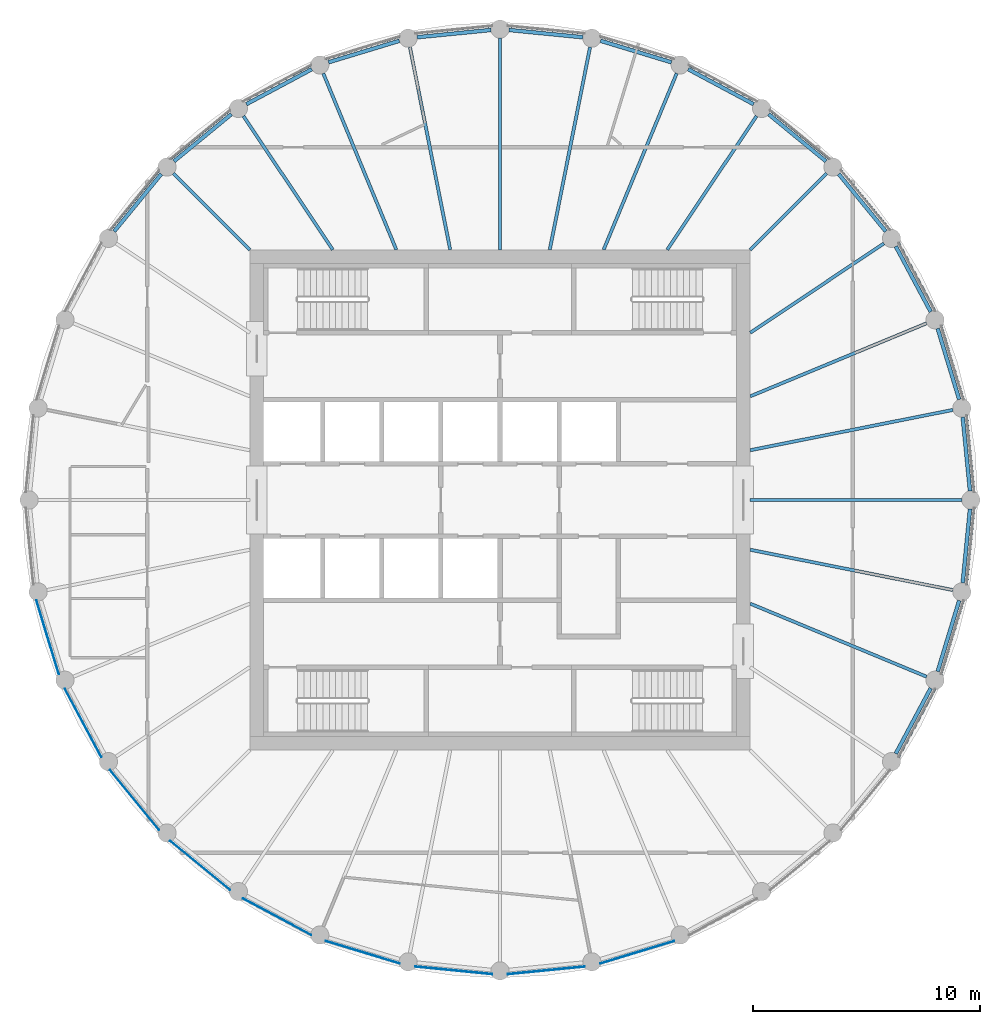
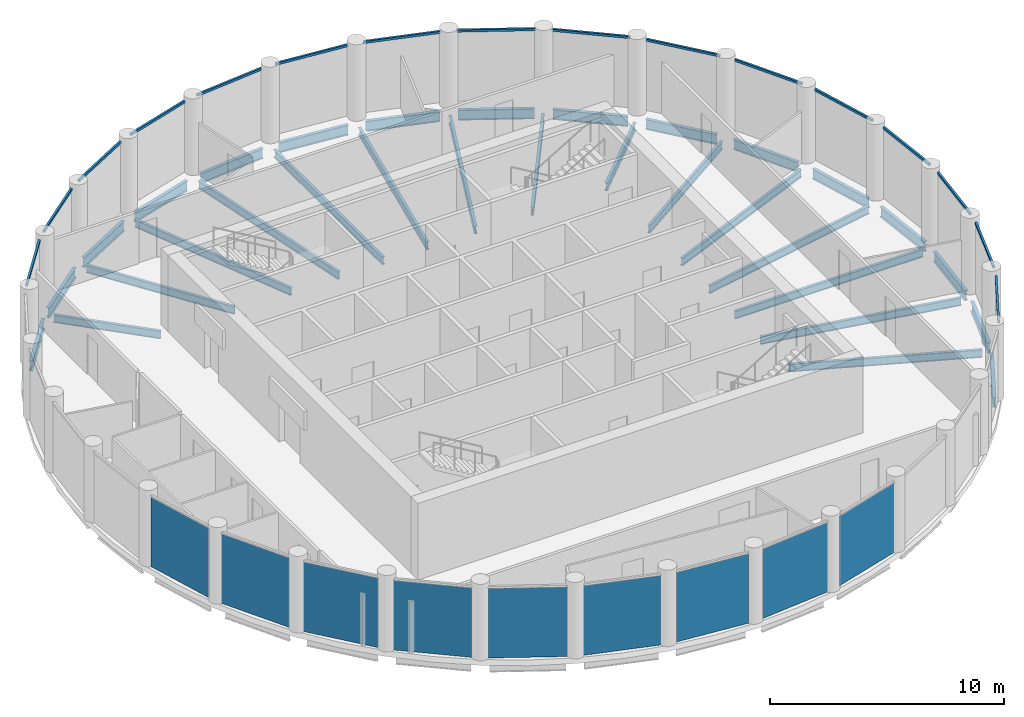
# One storey, part 2 of 7: 31 beams, 16 members, 9 plates, 25 elements without a shape of their own.
"""IFC4 building model written with IfcOpenShell, lengths in metres."""

import ifcopenshell
import ifcopenshell.guid

model = None  # the IFC model being written
_history = None  # IfcOwnerHistory: only IFC2X3 demands one
_inside = {}  # id of a spatial element -> (the spatial element, [elements in it])
_under = {}  # id of a project, library or spatial element -> (it, [spatial elements below it])
_declared = {}  # id of a project -> (the project, [libraries it declares])
_typed = {}  # id of a type object -> (the type object, [elements of that type])
_made_of = {}  # id of a material, layer set ... -> (it, [elements and type objects made of it])


def new_model(schema):
    """Start an empty IFC model of exactly this schema.

    Asked for "IFC4X3", IfcOpenShell would pick the latest addendum, in which some entities
    have other attributes; the version numbers below select the first issue.
    IFC2X3 requires an IfcOwnerHistory on every rooted entity: one is made here for all.
    """
    global model, _history
    if schema == "IFC4X3":
        model = ifcopenshell.file(schema_version=(4, 3, 0, 0))
    else:
        model = ifcopenshell.file(schema=schema)
    _inside.clear()
    _under.clear()
    _declared.clear()
    _typed.clear()
    _made_of.clear()
    _history = None
    if model.schema == "IFC2X3":
        org = make("IfcOrganization", Name="unknown")
        user = make(
            "IfcPersonAndOrganization",
            ThePerson=make("IfcPerson", FamilyName="unknown"),
            TheOrganization=org,
        )
        app = make(
            "IfcApplication",
            ApplicationDeveloper=org,
            Version="unknown",
            ApplicationFullName="unknown",
            ApplicationIdentifier="unknown",
        )
        _history = make(
            "IfcOwnerHistory",
            OwningUser=user,
            OwningApplication=app,
            ChangeAction="ADDED",
            CreationDate=0,
        )
    return model


def make(cls, **values):
    """One entity of the class cls with the attributes given. An attribute that is None is left unset."""
    return model.create_entity(
        cls, **{name: value for name, value in values.items() if value is not None}
    )


def rooted(cls, **values):
    """An entity with a GlobalId (a new one), such as an element, a storey or a relation."""
    return make(cls, GlobalId=ifcopenshell.guid.new(), OwnerHistory=_history, **values)


def si_unit(unit_type, name, prefix=None):
    """IfcSIUnit, for example si_unit("LENGTHUNIT", "METRE", prefix="MILLI")."""
    return make("IfcSIUnit", UnitType=unit_type, Prefix=prefix, Name=name)


def assignment(units):
    """IfcUnitAssignment: the units of a project."""
    return None if units is None else make("IfcUnitAssignment", Units=units)


def point(xyz):
    """IfcCartesianPoint."""
    return None if xyz is None else make("IfcCartesianPoint", Coordinates=xyz)


def direction(xyz):
    """IfcDirection."""
    return None if xyz is None else make("IfcDirection", DirectionRatios=xyz)


def frame(location, z_axis=None, x_axis=None):
    """IfcAxis2Placement3D, a coordinate frame: its origin and axes. An axis left out is left unset."""
    return make(
        "IfcAxis2Placement3D",
        Location=point(location),
        Axis=direction(z_axis),
        RefDirection=direction(x_axis),
    )


def frame_2d(location, x_axis=None):
    """IfcAxis2Placement2D, a coordinate frame in the plane: its origin and x axis."""
    return make(
        "IfcAxis2Placement2D", Location=point(location), RefDirection=direction(x_axis)
    )


def origin():
    """The frame at (0, 0, 0) with its axes left unset."""
    return frame((0.0, 0.0, 0.0))


def origin_2d():
    """The frame at (0, 0) in the plane with its x axis left unset."""
    return frame_2d((0.0, 0.0))


def place(relative_to, where):
    """IfcLocalPlacement: puts the frame where relative to a parent placement (None: the world)."""
    return make(
        "IfcLocalPlacement", PlacementRelTo=relative_to, RelativePlacement=where
    )


def context(
    kind, dimensions, precision=None, world=None, true_north=None, identifier=None
):
    """IfcGeometricRepresentationContext, for example the 3D "Model" context."""
    return make(
        "IfcGeometricRepresentationContext",
        ContextIdentifier=identifier,
        ContextType=kind,
        CoordinateSpaceDimension=dimensions,
        Precision=precision,
        WorldCoordinateSystem=world,
        TrueNorth=true_north,
    )


def subcontext(parent, identifier, kind, view, scale=None):
    """IfcGeometricRepresentationSubContext, for example "Body" below "Model"."""
    return make(
        "IfcGeometricRepresentationSubContext",
        ContextIdentifier=identifier,
        ContextType=kind,
        ParentContext=parent,
        TargetScale=scale,
        TargetView=view,
    )


def project(units=None, contexts=None):
    """IfcProject with its units and contexts."""
    return rooted(
        "IfcProject",
        Name="project",
        RepresentationContexts=contexts,
        UnitsInContext=assignment(units),
    )


def spatial(cls, under=None, at=None, **own):
    """A site, building, storey or space (cls), placed at a placement, below another one or the project."""
    s = rooted(cls, ObjectPlacement=at, **own)
    if under is not None:
        _under.setdefault(under.id(), (under, []))[1].append(s)
    return s


def profile(cls, at=None, kind="AREA", **sizes):
    """A parametric profile (cls). Its sizes go by their IFC names, for example OverallWidth=200.0."""
    return make(cls, ProfileType=kind, Position=at, **sizes)


def rectangle(**sizes):
    """IfcRectangleProfileDef."""
    return profile("IfcRectangleProfileDef", **sizes)


def i_section(**sizes):
    """IfcIShapeProfileDef."""
    return profile("IfcIShapeProfileDef", **sizes)


def extrude(swept, where, along, depth):
    """IfcExtrudedAreaSolid: the profile swept, set in the frame where, extruded along a direction by depth."""
    return make(
        "IfcExtrudedAreaSolid",
        SweptArea=swept,
        Position=where,
        ExtrudedDirection=direction(along),
        Depth=depth,
    )


def shape(context_of_items, identifier, shape_type, items):
    """IfcShapeRepresentation: the items that make up one representation, for example the "Body"."""
    return make(
        "IfcShapeRepresentation",
        ContextOfItems=context_of_items,
        RepresentationIdentifier=identifier,
        RepresentationType=shape_type,
        Items=items,
    )


def material(Name=None, Category=None):
    """IfcMaterial."""
    return make("IfcMaterial", Name=Name, Category=Category)


def layer(
    of_material, thickness, ventilated=None, Name=None, Category=None, Priority=None
):
    """IfcMaterialLayer: one layer of a wall or slab, of a material (None: an air gap)."""
    return make(
        "IfcMaterialLayer",
        Material=of_material,
        LayerThickness=thickness,
        IsVentilated=ventilated,
        Name=Name,
        Category=Category,
        Priority=Priority,
    )


def layer_set(layers, Name=None):
    """IfcMaterialLayerSet."""
    return make("IfcMaterialLayerSet", MaterialLayers=layers, LayerSetName=Name)


def material_profile(
    of_material, cross_section, Name=None, Category=None, Priority=None
):
    """IfcMaterialProfile: a cross section and its material."""
    return make(
        "IfcMaterialProfile",
        Name=Name,
        Material=of_material,
        Profile=cross_section,
        Priority=Priority,
        Category=Category,
    )


def profile_set(profiles, Name=None, composite=None):
    """IfcMaterialProfileSet."""
    return make(
        "IfcMaterialProfileSet",
        Name=Name,
        MaterialProfiles=profiles,
        CompositeProfile=composite,
    )


def made_of(thing, what):
    """Note that an element or type object is made of a material, layer set ...; save() writes the relation."""
    if what is not None:
        _made_of.setdefault(what.id(), (what, []))[1].append(thing)
    return thing


def type_object(cls, material=None, **own):
    """A type object (cls), such as IfcWallType, which elements share."""
    return made_of(rooted(cls, **own), material)


def element(
    cls,
    number,
    at=None,
    inside=None,
    cuts=None,
    type_object=None,
    material=None,
    context=None,
    identifier="Body",
    shape_type=None,
    held_by="IfcProductDefinitionShape",
    body=None,
    shapes=None,
    **own,
):
    """One element of the class cls, such as IfcWall. Its Tag is "e" and its number.

    at: its placement. inside: the storey or other place that contains it. cuts: it is an
    opening in that element (IfcRelVoidsElement). A single representation is given by context,
    identifier, shape_type and body (its items); several are given by shapes. held_by: the class
    of the entity that holds the representations. save() writes the other relations.
    """
    e = rooted(cls, Tag="e%d" % number, ObjectPlacement=at, **own)
    if body is not None:
        shapes = [shape(context, identifier, shape_type, body)]
    if shapes is not None:
        e.Representation = make(held_by, Representations=shapes)
    if inside is not None:
        _inside.setdefault(inside.id(), (inside, []))[1].append(e)
    if cuts is not None:
        rooted(
            "IfcRelVoidsElement", RelatingBuildingElement=cuts, RelatedOpeningElement=e
        )
    if type_object is not None:
        _typed.setdefault(type_object.id(), (type_object, []))[1].append(e)
    return made_of(e, material)


def aggregate(whole, parts):
    """IfcRelAggregates: a whole, such as a stair, and the parts it consists of."""
    return rooted("IfcRelAggregates", RelatingObject=whole, RelatedObjects=parts)


def save(model, path):
    """Write the relations noted so far, then the file.

    IfcRelAggregates (storeys below a building ...), IfcRelContainedInSpatialStructure (elements
    in a storey), IfcRelDefinesByType, IfcRelAssociatesMaterial and IfcRelDeclares: one each for
    every whole, place, type object, material and project.
    """
    for whole, parts in _under.values():
        aggregate(whole, parts)
    for where, things in _inside.values():
        rooted(
            "IfcRelContainedInSpatialStructure",
            RelatedElements=things,
            RelatingStructure=where,
        )
    for kind, things in _typed.values():
        rooted("IfcRelDefinesByType", RelatedObjects=things, RelatingType=kind)
    for what, things in _made_of.values():
        rooted("IfcRelAssociatesMaterial", RelatedObjects=things, RelatingMaterial=what)
    for by, libraries in _declared.values():
        rooted("IfcRelDeclares", RelatingContext=by, RelatedDefinitions=libraries)
    model.write(path)


model = new_model("IFC4")

# Units and contexts
model_context = context("Model", 3, precision=1e-05, world=origin(), true_north=direction((0.0, 1.0)))
body_context = subcontext(model_context, "Body", "Model", "MODEL_VIEW")
ifc_project = project(units=[si_unit("LENGTHUNIT", "METRE"), si_unit("AREAUNIT", "SQUARE_METRE"), si_unit("VOLUMEUNIT", "CUBIC_METRE"), si_unit("PLANEANGLEUNIT", "RADIAN"), si_unit("MASSUNIT", "GRAM", prefix="KILO")], contexts=[model_context])

# Site, building, storey
site_placement = place(None, origin())
site = spatial("IfcSite", under=ifc_project, at=site_placement, CompositionType="ELEMENT")
building_placement = place(site_placement, origin())
building = spatial("IfcBuilding", under=site, at=building_placement, Name="Corvane Civic Tower", CompositionType="ELEMENT")
storey_placement = place(building_placement, frame((0.0, 0.0, 328.5)))
storey = spatial("IfcBuildingStorey", under=building, at=storey_placement, Name="L78", CompositionType="ELEMENT", Elevation=328.5)

# Beams
ifc_material_1 = material(Name="Steel ASTM A992 Gr 50", Category="steel")
ifc_material_profile_1 = material_profile(ifc_material_1, i_section(OverallWidth=0.165771484375, OverallDepth=0.5283203125, WebThickness=0.009765625, FlangeThickness=0.013671875, at=origin_2d()), Name="W21X50")
ifc_profile_set_1 = profile_set([ifc_material_profile_1], Name="Steel ASTM A992 Gr 50")
beam_type_1 = type_object("IfcBeamType", Name="EDGE BEAM W21X50", PredefinedType="BEAM", material=ifc_profile_set_1)
beam_1_placement = place(storey_placement, frame((0.39794921875, 20.66064453125, -0.564208984375), z_axis=(0.995192503142, -0.097938152369, 0.0), x_axis=(0.097938152369, 0.995192503142, 0.0)))
element("IfcBeam", 1, at=beam_1_placement, inside=storey, type_object=beam_type_1, Name="BM-L78-E01", PredefinedType="BEAM", context=body_context, shape_type="SweptSolid", body=[
    extrude(i_section(OverallWidth=0.165771484375, OverallDepth=0.5283203125, WebThickness=0.009765625, FlangeThickness=0.013671875, at=origin_2d()), origin(), (0.0, 0.0, 1.0), 3.258056640625),
])
for number, where, z_axis, x_axis, name in (
    (2, (4.421142578125, 20.18603515625, -0.564208984375), (0.956955679349, -0.290234091317, 0.0), (0.290234091317, 0.956955679349, 0.0), "BM-L78-E02"),
    (3, (8.2744140625, 18.935791015625, -0.564208984375), (0.881894065907, -0.471447618, 0.0), (0.471447618, 0.881894065907, 0.0), "BM-L78-E03"),
    (4, (11.8095703125, 16.957763671875, -0.564208984375), (0.772984791903, -0.634424551454, 0.0), (0.634424551454, 0.772984791903, 0.0), "BM-L78-E04"),
    (5, (14.890869140625, 14.327880859375, -0.564208984375), (0.634424551454, -0.772984791903, 0.0), (0.772984791903, 0.634424551454, 0.0), "BM-L78-E05"),
    (6, (17.39990234375, 11.1474609375, -0.564208984375), (0.471447618, -0.881894065907, 0.0), (0.881894065907, 0.471447618, 0.0), "BM-L78-E06"),
    (7, (19.240478515625, 7.538818359375, -0.564208984375), (0.290234091317, -0.956955679349, 0.0), (0.956955679349, 0.290234091317, 0.0), "BM-L78-E07"),
):
    element("IfcBeam", number, at=place(storey_placement, frame(where, z_axis=z_axis, x_axis=x_axis)), inside=storey, type_object=beam_type_1, Name=name, PredefinedType="BEAM", context=body_context, shape_type="SweptSolid", body=[
        extrude(i_section(OverallWidth=0.165771484375, OverallDepth=0.5283203125, WebThickness=0.009765625, FlangeThickness=0.013671875, at=origin_2d()), origin(), (0.0, 0.0, 1.0), 3.2578125),
    ])
for number, where, z_axis, x_axis, name in (
    (8, (20.341552734375, 3.640380859375, -0.564208984375), (0.097938152369, -0.995192503142, 0.0), (0.995192503142, 0.097938152369, 0.0), "BM-L78-E08"),
    (9, (20.66064453125, -0.39794921875, -0.564208984375), (-0.097938152369, -0.995192503142, 0.0), (0.995192503142, -0.097938152369, 0.0), "BM-L78-E09"),
):
    element("IfcBeam", number, at=place(storey_placement, frame(where, z_axis=z_axis, x_axis=x_axis)), inside=storey, type_object=beam_type_1, Name=name, PredefinedType="BEAM", context=body_context, shape_type="SweptSolid", body=[
        extrude(i_section(OverallWidth=0.165771484375, OverallDepth=0.5283203125, WebThickness=0.009765625, FlangeThickness=0.013671875, at=origin_2d()), origin(), (0.0, 0.0, 1.0), 3.258056640625),
    ])
for number, where, z_axis, x_axis, name in (
    (10, (20.18603515625, -4.421142578125, -0.564208984375), (-0.290234091317, -0.956955679349, 0.0), (0.956955679349, -0.290234091317, 0.0), "BM-L78-E10"),
    (11, (18.935791015625, -8.2744140625, -0.564208984375), (-0.471447618, -0.881894065907, 0.0), (0.881894065907, -0.471447618, 0.0), "BM-L78-E11"),
    (12, (-16.957763671875, 11.8095703125, -0.564208984375), (0.634424551454, 0.772984791903, 0.0), (-0.772984791903, 0.634424551454, 0.0), "BM-L78-E28"),
    (13, (-14.327880859375, 14.890869140625, -0.564208984375), (0.772984791903, 0.634424551454, 0.0), (-0.634424551454, 0.772984791903, 0.0), "BM-L78-E29"),
    (14, (-11.1474609375, 17.39990234375, -0.564208984375), (0.881894065907, 0.471447618, 0.0), (-0.471447618, 0.881894065907, 0.0), "BM-L78-E30"),
    (15, (-7.538818359375, 19.240478515625, -0.564208984375), (0.956955679349, 0.290234091317, 0.0), (-0.290234091317, 0.956955679349, 0.0), "BM-L78-E31"),
):
    element("IfcBeam", number, at=place(storey_placement, frame(where, z_axis=z_axis, x_axis=x_axis)), inside=storey, type_object=beam_type_1, Name=name, PredefinedType="BEAM", context=body_context, shape_type="SweptSolid", body=[
        extrude(i_section(OverallWidth=0.165771484375, OverallDepth=0.5283203125, WebThickness=0.009765625, FlangeThickness=0.013671875, at=origin_2d()), origin(), (0.0, 0.0, 1.0), 3.2578125),
    ])
beam_2_placement = place(storey_placement, frame((-3.640380859375, 20.341552734375, -0.564208984375), z_axis=(0.995192503142, 0.097938152369, 0.0), x_axis=(-0.097938152369, 0.995192503142, 0.0)))
element("IfcBeam", 16, at=beam_2_placement, inside=storey, type_object=beam_type_1, Name="BM-L78-E32", PredefinedType="BEAM", context=body_context, shape_type="SweptSolid", body=[
    extrude(i_section(OverallWidth=0.165771484375, OverallDepth=0.5283203125, WebThickness=0.009765625, FlangeThickness=0.013671875, at=origin_2d()), origin(), (0.0, 0.0, 1.0), 3.258056640625),
])
ifc_material_2 = material(Name="Steel ASTM A992 Gr 50", Category="steel")
ifc_material_profile_2 = material_profile(ifc_material_2, i_section(OverallWidth=0.140380859375, OverallDepth=0.40380859375, WebThickness=0.007080078125, FlangeThickness=0.01123046875, at=origin_2d()), Name="W16X31")
ifc_profile_set_2 = profile_set([ifc_material_profile_2], Name="Steel ASTM A992 Gr 50")
beam_type_2 = type_object("IfcBeamType", Name="FLOOR GIRDER W16X31", PredefinedType="BEAM", material=ifc_profile_set_2)
beam_3_placement = place(storey_placement, frame((0.0, 11.0, -0.501953125), z_axis=(0.0, 1.0, 0.0), x_axis=(-1.0, 0.0, 0.0)))
element("IfcBeam", 17, at=beam_3_placement, inside=storey, type_object=beam_type_2, Name="BM-L78-G01", PredefinedType="BEAM", context=body_context, shape_type="SweptSolid", body=[
    extrude(i_section(OverallWidth=0.140380859375, OverallDepth=0.40380859375, WebThickness=0.007080078125, FlangeThickness=0.01123046875, at=origin_2d()), origin(), (0.0, 0.0, 1.0), 9.300048828125),
])
beam_4_placement = place(storey_placement, frame((2.18798828125, 11.0, -0.501953125), z_axis=(0.195108241061, 0.980781715913, 0.0), x_axis=(-0.980781715913, 0.195108241061, 0.0)))
element("IfcBeam", 18, at=beam_4_placement, inside=storey, type_object=beam_type_2, Name="BM-L78-G02", PredefinedType="BEAM", context=body_context, shape_type="SweptSolid", body=[
    extrude(i_section(OverallWidth=0.140380859375, OverallDepth=0.40380859375, WebThickness=0.007080078125, FlangeThickness=0.01123046875, at=origin_2d()), origin(), (0.0, 0.0, 1.0), 9.08447265625),
])
beam_5_placement = place(storey_placement, frame((4.556396484375, 11.0, -0.501953125), z_axis=(0.382691739894, 0.923876091377, 0.0), x_axis=(-0.923876091377, 0.382691739894, 0.0)))
element("IfcBeam", 19, at=beam_5_placement, inside=storey, type_object=beam_type_2, Name="BM-L78-G03", PredefinedType="BEAM", context=body_context, shape_type="SweptSolid", body=[
    extrude(i_section(OverallWidth=0.140380859375, OverallDepth=0.40380859375, WebThickness=0.007080078125, FlangeThickness=0.01123046875, at=origin_2d()), origin(), (0.0, 0.0, 1.0), 8.3935546875),
])
beam_6_placement = place(storey_placement, frame((7.349853515625, 11.0, -0.501953125), z_axis=(0.555576401385, 0.831465490699, 0.0), x_axis=(-0.831465490699, 0.555576401385, 0.0)))
element("IfcBeam", 20, at=beam_6_placement, inside=storey, type_object=beam_type_2, Name="BM-L78-G04", PredefinedType="BEAM", context=body_context, shape_type="SweptSolid", body=[
    extrude(i_section(OverallWidth=0.140380859375, OverallDepth=0.40380859375, WebThickness=0.007080078125, FlangeThickness=0.01123046875, at=origin_2d()), origin(), (0.0, 0.0, 1.0), 7.070556640625),
])
beam_7_placement = place(storey_placement, frame((11.0, 11.0, -0.501953125), z_axis=(0.707106781187, 0.707106781187, 0.0), x_axis=(-0.707106781187, 0.707106781187, 0.0)))
element("IfcBeam", 21, at=beam_7_placement, inside=storey, type_object=beam_type_2, Name="BM-L78-G05", PredefinedType="BEAM", context=body_context, shape_type="SweptSolid", body=[
    extrude(i_section(OverallWidth=0.140380859375, OverallDepth=0.40380859375, WebThickness=0.007080078125, FlangeThickness=0.01123046875, at=origin_2d()), origin(), (0.0, 0.0, 1.0), 4.74365234375),
])
beam_8_placement = place(storey_placement, frame((11.0, 7.349853515625, -0.501953125), z_axis=(0.831465490699, 0.555576401385, 0.0), x_axis=(-0.555576401385, 0.831465490699, 0.0)))
element("IfcBeam", 22, at=beam_8_placement, inside=storey, type_object=beam_type_2, Name="BM-L78-G06", PredefinedType="BEAM", context=body_context, shape_type="SweptSolid", body=[
    extrude(i_section(OverallWidth=0.140380859375, OverallDepth=0.40380859375, WebThickness=0.007080078125, FlangeThickness=0.01123046875, at=origin_2d()), origin(), (0.0, 0.0, 1.0), 7.070556640625),
])
beam_9_placement = place(storey_placement, frame((11.0, 4.556396484375, -0.501953125), z_axis=(0.923876091377, 0.382691739894, 0.0), x_axis=(-0.382691739894, 0.923876091377, 0.0)))
element("IfcBeam", 23, at=beam_9_placement, inside=storey, type_object=beam_type_2, Name="BM-L78-G07", PredefinedType="BEAM", context=body_context, shape_type="SweptSolid", body=[
    extrude(i_section(OverallWidth=0.140380859375, OverallDepth=0.40380859375, WebThickness=0.007080078125, FlangeThickness=0.01123046875, at=origin_2d()), origin(), (0.0, 0.0, 1.0), 8.3935546875),
])
beam_10_placement = place(storey_placement, frame((11.0, 2.18798828125, -0.501953125), z_axis=(0.980781715913, 0.195108241061, 0.0), x_axis=(-0.195108241061, 0.980781715913, 0.0)))
element("IfcBeam", 24, at=beam_10_placement, inside=storey, type_object=beam_type_2, Name="BM-L78-G08", PredefinedType="BEAM", context=body_context, shape_type="SweptSolid", body=[
    extrude(i_section(OverallWidth=0.140380859375, OverallDepth=0.40380859375, WebThickness=0.007080078125, FlangeThickness=0.01123046875, at=origin_2d()), origin(), (0.0, 0.0, 1.0), 9.08447265625),
])
beam_11_placement = place(storey_placement, frame((11.0, 0.0, -0.501953125), z_axis=(1.0, 0.0, 0.0), x_axis=(0.0, 1.0, 0.0)))
element("IfcBeam", 25, at=beam_11_placement, inside=storey, type_object=beam_type_2, Name="BM-L78-G09", PredefinedType="BEAM", context=body_context, shape_type="SweptSolid", body=[
    extrude(i_section(OverallWidth=0.140380859375, OverallDepth=0.40380859375, WebThickness=0.007080078125, FlangeThickness=0.01123046875, at=origin_2d()), origin(), (0.0, 0.0, 1.0), 9.300048828125),
])
beam_12_placement = place(storey_placement, frame((11.0, -2.18798828125, -0.501953125), z_axis=(0.980781715913, -0.195108241061, 0.0), x_axis=(0.195108241061, 0.980781715913, 0.0)))
element("IfcBeam", 26, at=beam_12_placement, inside=storey, type_object=beam_type_2, Name="BM-L78-G10", PredefinedType="BEAM", context=body_context, shape_type="SweptSolid", body=[
    extrude(i_section(OverallWidth=0.140380859375, OverallDepth=0.40380859375, WebThickness=0.007080078125, FlangeThickness=0.01123046875, at=origin_2d()), origin(), (0.0, 0.0, 1.0), 9.08447265625),
])
beam_13_placement = place(storey_placement, frame((11.0, -4.556396484375, -0.501953125), z_axis=(0.923876091377, -0.382691739894, 0.0), x_axis=(0.382691739894, 0.923876091377, 0.0)))
element("IfcBeam", 27, at=beam_13_placement, inside=storey, type_object=beam_type_2, Name="BM-L78-G11", PredefinedType="BEAM", context=body_context, shape_type="SweptSolid", body=[
    extrude(i_section(OverallWidth=0.140380859375, OverallDepth=0.40380859375, WebThickness=0.007080078125, FlangeThickness=0.01123046875, at=origin_2d()), origin(), (0.0, 0.0, 1.0), 8.3935546875),
])
beam_14_placement = place(storey_placement, frame((-11.0, 11.0, -0.501953125), z_axis=(-0.707106781187, 0.707106781187, 0.0), x_axis=(-0.707106781187, -0.707106781187, 0.0)))
element("IfcBeam", 28, at=beam_14_placement, inside=storey, type_object=beam_type_2, Name="BM-L78-G29", PredefinedType="BEAM", context=body_context, shape_type="SweptSolid", body=[
    extrude(i_section(OverallWidth=0.140380859375, OverallDepth=0.40380859375, WebThickness=0.007080078125, FlangeThickness=0.01123046875, at=origin_2d()), origin(), (0.0, 0.0, 1.0), 4.74365234375),
])
beam_15_placement = place(storey_placement, frame((-7.349853515625, 11.0, -0.501953125), z_axis=(-0.555576401385, 0.831465490699, 0.0), x_axis=(-0.831465490699, -0.555576401385, 0.0)))
element("IfcBeam", 29, at=beam_15_placement, inside=storey, type_object=beam_type_2, Name="BM-L78-G30", PredefinedType="BEAM", context=body_context, shape_type="SweptSolid", body=[
    extrude(i_section(OverallWidth=0.140380859375, OverallDepth=0.40380859375, WebThickness=0.007080078125, FlangeThickness=0.01123046875, at=origin_2d()), origin(), (0.0, 0.0, 1.0), 7.070556640625),
])
beam_16_placement = place(storey_placement, frame((-4.556396484375, 11.0, -0.501953125), z_axis=(-0.382691739894, 0.923876091377, 0.0), x_axis=(-0.923876091377, -0.382691739894, 0.0)))
element("IfcBeam", 30, at=beam_16_placement, inside=storey, type_object=beam_type_2, Name="BM-L78-G31", PredefinedType="BEAM", context=body_context, shape_type="SweptSolid", body=[
    extrude(i_section(OverallWidth=0.140380859375, OverallDepth=0.40380859375, WebThickness=0.007080078125, FlangeThickness=0.01123046875, at=origin_2d()), origin(), (0.0, 0.0, 1.0), 8.3935546875),
])
beam_17_placement = place(storey_placement, frame((-2.18798828125, 11.0, -0.501953125), z_axis=(-0.195108241061, 0.980781715913, 0.0), x_axis=(-0.980781715913, -0.195108241061, 0.0)))
element("IfcBeam", 31, at=beam_17_placement, inside=storey, type_object=beam_type_2, Name="BM-L78-G32", PredefinedType="BEAM", context=body_context, shape_type="SweptSolid", body=[
    extrude(i_section(OverallWidth=0.140380859375, OverallDepth=0.40380859375, WebThickness=0.007080078125, FlangeThickness=0.01123046875, at=origin_2d()), origin(), (0.0, 0.0, 1.0), 9.08447265625),
])

# Curtain wall, member
ifc_material_3 = material(Name="Anodised aluminium bronze", Category="aluminium")
curtain_wall_type = type_object("IfcCurtainWallType", Name="TOWER CW-T3 STICK CURTAIN WALL", PredefinedType="NOTDEFINED", material=ifc_material_3)
curtain_wall_1_placement = place(storey_placement, origin())
curtain_wall_1 = element("IfcCurtainWall", 32, at=curtain_wall_1_placement, inside=storey, type_object=curtain_wall_type, Name="Curtain wall CW-T3 L78 bay 01", PredefinedType="NOTDEFINED")
ifc_material_4 = material(Name="Anodised aluminium bronze", Category="aluminium")
ifc_material_profile_3 = material_profile(ifc_material_4, rectangle(XDim=0.10009765625, YDim=0.1201171875, at=origin_2d()), Name="TOWER CW-T3 TRANSOM 100x120")
ifc_profile_set_3 = profile_set([ifc_material_profile_3], Name="Anodised aluminium bronze")
member_type = type_object("IfcMemberType", Name="TOWER CW-T3 TRANSOM 100x120", PredefinedType="USERDEFINED", material=ifc_profile_set_3)
member_1_placement = place(storey_placement, frame((0.34375, 20.845947265625, 3.68994140625), z_axis=(0.995191564676, -0.097947688066, 0.0), x_axis=(0.097947688066, 0.995191564676, 0.0)))
member_1 = element("IfcMember", 33, at=member_1_placement, type_object=member_type, Name="Transom CW-T3 L78 01.1", ObjectType="TRANSOM", PredefinedType="USERDEFINED", context=body_context, shape_type="SweptSolid", body=[
    extrude(rectangle(XDim=0.10009765625, YDim=0.1201171875, at=origin_2d()), origin(), (0.0, 0.0, 1.0), 3.40234375),
])
aggregate(curtain_wall_1, [member_1])

curtain_wall_2_placement = place(storey_placement, origin())
curtain_wall_2 = element("IfcCurtainWall", 34, at=curtain_wall_2_placement, inside=storey, type_object=curtain_wall_type, Name="Curtain wall CW-T3 L78 bay 02", PredefinedType="NOTDEFINED")
member_2_placement = place(storey_placement, frame((4.40380859375, 20.37841796875, 3.68994140625), z_axis=(0.956961022204, -0.290216474345, 0.0), x_axis=(0.290216474345, 0.956961022204, 0.0)))
member_2 = element("IfcMember", 35, at=member_2_placement, type_object=member_type, Name="Transom CW-T3 L78 02.1", ObjectType="TRANSOM", PredefinedType="USERDEFINED", context=body_context, shape_type="SweptSolid", body=[
    extrude(rectangle(XDim=0.10009765625, YDim=0.1201171875, at=origin_2d()), origin(), (0.0, 0.0, 1.0), 3.40283203125),
])
aggregate(curtain_wall_2, [member_2])

curtain_wall_3_placement = place(storey_placement, origin())
curtain_wall_3 = element("IfcCurtainWall", 36, at=curtain_wall_3_placement, inside=storey, type_object=curtain_wall_type, Name="Curtain wall CW-T3 L78 bay 03", PredefinedType="NOTDEFINED")
member_3_placement = place(storey_placement, frame((8.294921875, 19.127685546875, 3.68994140625), z_axis=(0.881941440444, -0.471358988063, 0.0), x_axis=(0.471358988063, 0.881941440444, 0.0)))
member_3 = element("IfcMember", 37, at=member_3_placement, type_object=member_type, Name="Transom CW-T3 L78 03.1", ObjectType="TRANSOM", PredefinedType="USERDEFINED", context=body_context, shape_type="SweptSolid", body=[
    extrude(rectangle(XDim=0.10009765625, YDim=0.1201171875, at=origin_2d()), origin(), (0.0, 0.0, 1.0), 3.40234375),
])
aggregate(curtain_wall_3, [member_3])

curtain_wall_4_placement = place(storey_placement, origin())
curtain_wall_4 = element("IfcCurtainWall", 38, at=curtain_wall_4_placement, inside=storey, type_object=curtain_wall_type, Name="Curtain wall CW-T3 L78 bay 04", PredefinedType="NOTDEFINED")
member_4_placement = place(storey_placement, frame((11.8671875, 17.14208984375, 3.68994140625), z_axis=(0.773010217358, -0.634393571736, 0.0), x_axis=(0.634393571736, 0.773010217358, 0.0)))
member_4 = element("IfcMember", 39, at=member_4_placement, type_object=member_type, Name="Transom CW-T3 L78 04.1", ObjectType="TRANSOM", PredefinedType="USERDEFINED", context=body_context, shape_type="SweptSolid", body=[
    extrude(rectangle(XDim=0.10009765625, YDim=0.1201171875, at=origin_2d()), origin(), (0.0, 0.0, 1.0), 3.40283203125),
])
aggregate(curtain_wall_4, [member_4])

curtain_wall_5_placement = place(storey_placement, origin())
curtain_wall_5 = element("IfcCurtainWall", 40, at=curtain_wall_5_placement, inside=storey, type_object=curtain_wall_type, Name="Curtain wall CW-T3 L78 bay 05", PredefinedType="NOTDEFINED")
member_5_placement = place(storey_placement, frame((14.9833984375, 14.49755859375, 3.68994140625), z_axis=(0.634393571736, -0.773010217358, 0.0), x_axis=(0.773010217358, 0.634393571736, 0.0)))
member_5 = element("IfcMember", 41, at=member_5_placement, type_object=member_type, Name="Transom CW-T3 L78 05.1", ObjectType="TRANSOM", PredefinedType="USERDEFINED", context=body_context, shape_type="SweptSolid", body=[
    extrude(rectangle(XDim=0.10009765625, YDim=0.1201171875, at=origin_2d()), origin(), (0.0, 0.0, 1.0), 3.40283203125),
])
aggregate(curtain_wall_5, [member_5])

curtain_wall_6_placement = place(storey_placement, origin())
curtain_wall_6 = element("IfcCurtainWall", 42, at=curtain_wall_6_placement, inside=storey, type_object=curtain_wall_type, Name="Curtain wall CW-T3 L78 bay 06", PredefinedType="NOTDEFINED")
member_6_placement = place(storey_placement, frame((17.52392578125, 11.295654296875, 3.68994140625), z_axis=(0.471358988063, -0.881941440444, 0.0), x_axis=(0.881941440444, 0.471358988063, 0.0)))
member_6 = element("IfcMember", 43, at=member_6_placement, type_object=member_type, Name="Transom CW-T3 L78 06.1", ObjectType="TRANSOM", PredefinedType="USERDEFINED", context=body_context, shape_type="SweptSolid", body=[
    extrude(rectangle(XDim=0.10009765625, YDim=0.1201171875, at=origin_2d()), origin(), (0.0, 0.0, 1.0), 3.40234375),
])
aggregate(curtain_wall_6, [member_6])

curtain_wall_7_placement = place(storey_placement, origin())
curtain_wall_7 = element("IfcCurtainWall", 44, at=curtain_wall_7_placement, inside=storey, type_object=curtain_wall_type, Name="Curtain wall CW-T3 L78 bay 07", PredefinedType="NOTDEFINED")
member_7_placement = place(storey_placement, frame((19.390869140625, 7.66015625, 3.68994140625), z_axis=(0.290216474345, -0.956961022204, 0.0), x_axis=(0.956961022204, 0.290216474345, 0.0)))
member_7 = element("IfcMember", 45, at=member_7_placement, type_object=member_type, Name="Transom CW-T3 L78 07.1", ObjectType="TRANSOM", PredefinedType="USERDEFINED", context=body_context, shape_type="SweptSolid", body=[
    extrude(rectangle(XDim=0.10009765625, YDim=0.1201171875, at=origin_2d()), origin(), (0.0, 0.0, 1.0), 3.40283203125),
])
aggregate(curtain_wall_7, [member_7])

curtain_wall_8_placement = place(storey_placement, origin())
curtain_wall_8 = element("IfcCurtainWall", 46, at=curtain_wall_8_placement, inside=storey, type_object=curtain_wall_type, Name="Curtain wall CW-T3 L78 bay 08", PredefinedType="NOTDEFINED")
member_8_placement = place(storey_placement, frame((20.5126953125, 3.729736328125, 3.68994140625), z_axis=(0.097947688066, -0.995191564676, 0.0), x_axis=(0.995191564676, 0.097947688066, 0.0)))
member_8 = element("IfcMember", 47, at=member_8_placement, type_object=member_type, Name="Transom CW-T3 L78 08.1", ObjectType="TRANSOM", PredefinedType="USERDEFINED", context=body_context, shape_type="SweptSolid", body=[
    extrude(rectangle(XDim=0.10009765625, YDim=0.1201171875, at=origin_2d()), origin(), (0.0, 0.0, 1.0), 3.40234375),
])
aggregate(curtain_wall_8, [member_8])

curtain_wall_9_placement = place(storey_placement, origin())
curtain_wall_9 = element("IfcCurtainWall", 48, at=curtain_wall_9_placement, inside=storey, type_object=curtain_wall_type, Name="Curtain wall CW-T3 L78 bay 09", PredefinedType="NOTDEFINED")
member_9_placement = place(storey_placement, frame((20.845947265625, -0.34375, 3.68994140625), z_axis=(-0.097947688066, -0.995191564676, 0.0), x_axis=(0.995191564676, -0.097947688066, 0.0)))
member_9 = element("IfcMember", 49, at=member_9_placement, type_object=member_type, Name="Transom CW-T3 L78 09.1", ObjectType="TRANSOM", PredefinedType="USERDEFINED", context=body_context, shape_type="SweptSolid", body=[
    extrude(rectangle(XDim=0.10009765625, YDim=0.1201171875, at=origin_2d()), origin(), (0.0, 0.0, 1.0), 3.40234375),
])
aggregate(curtain_wall_9, [member_9])

curtain_wall_10_placement = place(storey_placement, origin())
curtain_wall_10 = element("IfcCurtainWall", 50, at=curtain_wall_10_placement, inside=storey, type_object=curtain_wall_type, Name="Curtain wall CW-T3 L78 bay 10", PredefinedType="NOTDEFINED")
member_10_placement = place(storey_placement, frame((20.37841796875, -4.40380859375, 3.68994140625), z_axis=(-0.290216474345, -0.956961022204, 0.0), x_axis=(0.956961022204, -0.290216474345, 0.0)))
member_10 = element("IfcMember", 51, at=member_10_placement, type_object=member_type, Name="Transom CW-T3 L78 10.1", ObjectType="TRANSOM", PredefinedType="USERDEFINED", context=body_context, shape_type="SweptSolid", body=[
    extrude(rectangle(XDim=0.10009765625, YDim=0.1201171875, at=origin_2d()), origin(), (0.0, 0.0, 1.0), 3.40283203125),
])
aggregate(curtain_wall_10, [member_10])

curtain_wall_11_placement = place(storey_placement, origin())
curtain_wall_11 = element("IfcCurtainWall", 52, at=curtain_wall_11_placement, inside=storey, type_object=curtain_wall_type, Name="Curtain wall CW-T3 L78 bay 11", PredefinedType="NOTDEFINED")
member_11_placement = place(storey_placement, frame((19.127685546875, -8.294921875, 3.68994140625), z_axis=(-0.471358988063, -0.881941440444, 0.0), x_axis=(0.881941440444, -0.471358988063, 0.0)))
member_11 = element("IfcMember", 53, at=member_11_placement, type_object=member_type, Name="Transom CW-T3 L78 11.1", ObjectType="TRANSOM", PredefinedType="USERDEFINED", context=body_context, shape_type="SweptSolid", body=[
    extrude(rectangle(XDim=0.10009765625, YDim=0.1201171875, at=origin_2d()), origin(), (0.0, 0.0, 1.0), 3.40234375),
])
aggregate(curtain_wall_11, [member_11])

curtain_wall_12_placement = place(storey_placement, origin())
curtain_wall_12 = element("IfcCurtainWall", 54, at=curtain_wall_12_placement, inside=storey, type_object=curtain_wall_type, Name="Curtain wall CW-T3 L78 bay 28", PredefinedType="NOTDEFINED")
member_12_placement = place(storey_placement, frame((-17.14208984375, 11.8671875, 3.68994140625), z_axis=(0.634393571736, 0.773010217358, 0.0), x_axis=(-0.773010217358, 0.634393571736, 0.0)))
member_12 = element("IfcMember", 55, at=member_12_placement, type_object=member_type, Name="Transom CW-T3 L78 28.1", ObjectType="TRANSOM", PredefinedType="USERDEFINED", context=body_context, shape_type="SweptSolid", body=[
    extrude(rectangle(XDim=0.10009765625, YDim=0.1201171875, at=origin_2d()), origin(), (0.0, 0.0, 1.0), 3.40283203125),
])
aggregate(curtain_wall_12, [member_12])

curtain_wall_13_placement = place(storey_placement, origin())
curtain_wall_13 = element("IfcCurtainWall", 56, at=curtain_wall_13_placement, inside=storey, type_object=curtain_wall_type, Name="Curtain wall CW-T3 L78 bay 29", PredefinedType="NOTDEFINED")
member_13_placement = place(storey_placement, frame((-14.49755859375, 14.9833984375, 3.68994140625), z_axis=(0.773010217358, 0.634393571736, 0.0), x_axis=(-0.634393571736, 0.773010217358, 0.0)))
member_13 = element("IfcMember", 57, at=member_13_placement, type_object=member_type, Name="Transom CW-T3 L78 29.1", ObjectType="TRANSOM", PredefinedType="USERDEFINED", context=body_context, shape_type="SweptSolid", body=[
    extrude(rectangle(XDim=0.10009765625, YDim=0.1201171875, at=origin_2d()), origin(), (0.0, 0.0, 1.0), 3.40283203125),
])
aggregate(curtain_wall_13, [member_13])

curtain_wall_14_placement = place(storey_placement, origin())
curtain_wall_14 = element("IfcCurtainWall", 58, at=curtain_wall_14_placement, inside=storey, type_object=curtain_wall_type, Name="Curtain wall CW-T3 L78 bay 30", PredefinedType="NOTDEFINED")
member_14_placement = place(storey_placement, frame((-11.295654296875, 17.52392578125, 3.68994140625), z_axis=(0.881941440444, 0.471358988063, 0.0), x_axis=(-0.471358988063, 0.881941440444, 0.0)))
member_14 = element("IfcMember", 59, at=member_14_placement, type_object=member_type, Name="Transom CW-T3 L78 30.1", ObjectType="TRANSOM", PredefinedType="USERDEFINED", context=body_context, shape_type="SweptSolid", body=[
    extrude(rectangle(XDim=0.10009765625, YDim=0.1201171875, at=origin_2d()), origin(), (0.0, 0.0, 1.0), 3.40234375),
])
aggregate(curtain_wall_14, [member_14])

curtain_wall_15_placement = place(storey_placement, origin())
curtain_wall_15 = element("IfcCurtainWall", 60, at=curtain_wall_15_placement, inside=storey, type_object=curtain_wall_type, Name="Curtain wall CW-T3 L78 bay 31", PredefinedType="NOTDEFINED")
member_15_placement = place(storey_placement, frame((-7.66015625, 19.390869140625, 3.68994140625), z_axis=(0.956961022204, 0.290216474345, 0.0), x_axis=(-0.290216474345, 0.956961022204, 0.0)))
member_15 = element("IfcMember", 61, at=member_15_placement, type_object=member_type, Name="Transom CW-T3 L78 31.1", ObjectType="TRANSOM", PredefinedType="USERDEFINED", context=body_context, shape_type="SweptSolid", body=[
    extrude(rectangle(XDim=0.10009765625, YDim=0.1201171875, at=origin_2d()), origin(), (0.0, 0.0, 1.0), 3.40283203125),
])
aggregate(curtain_wall_15, [member_15])

curtain_wall_16_placement = place(storey_placement, origin())
curtain_wall_16 = element("IfcCurtainWall", 62, at=curtain_wall_16_placement, inside=storey, type_object=curtain_wall_type, Name="Curtain wall CW-T3 L78 bay 32", PredefinedType="NOTDEFINED")
member_16_placement = place(storey_placement, frame((-3.729736328125, 20.5126953125, 3.68994140625), z_axis=(0.995191564676, 0.097947688066, 0.0), x_axis=(-0.097947688066, 0.995191564676, 0.0)))
member_16 = element("IfcMember", 63, at=member_16_placement, type_object=member_type, Name="Transom CW-T3 L78 32.1", ObjectType="TRANSOM", PredefinedType="USERDEFINED", context=body_context, shape_type="SweptSolid", body=[
    extrude(rectangle(XDim=0.10009765625, YDim=0.1201171875, at=origin_2d()), origin(), (0.0, 0.0, 1.0), 3.40234375),
])
aggregate(curtain_wall_16, [member_16])

# Curtain wall, plate
curtain_wall_17_placement = place(storey_placement, origin())
curtain_wall_17 = element("IfcCurtainWall", 64, at=curtain_wall_17_placement, inside=storey, type_object=curtain_wall_type, Name="Curtain wall CW-T3 L78 bay 15", PredefinedType="NOTDEFINED")
ifc_material_5 = material(Name="Tinted glass", Category="glass")
ifc_layer = layer(ifc_material_5, 0.028076171875)
ifc_layer_set = layer_set([ifc_layer], Name="Tinted glass")
plate_type = type_object("IfcPlateType", Name="TOWER CW-T3 PANEL IGU28", PredefinedType="CURTAIN_PANEL", material=ifc_layer_set)
plate_1_placement = place(storey_placement, frame((6.031982421875, -19.884765625, 0.0), z_axis=(0.0, 0.0, 1.0), x_axis=(-0.956938582641, -0.290290456359, 0.0)))
plate_1 = element("IfcPlate", 65, at=plate_1_placement, type_object=plate_type, Name="Glass panel CW-T3 L78 15.1", PredefinedType="CURTAIN_PANEL", context=body_context, shape_type="SweptSolid", body=[
    extrude(rectangle(XDim=3.40283203125, YDim=0.028076171875, at=origin_2d()), origin(), (0.0, 0.0, 1.0), 3.6298828125),
])
aggregate(curtain_wall_17, [plate_1])

curtain_wall_18_placement = place(storey_placement, origin())
curtain_wall_18 = element("IfcCurtainWall", 66, at=curtain_wall_18_placement, inside=storey, type_object=curtain_wall_type, Name="Curtain wall CW-T3 L78 bay 16", PredefinedType="NOTDEFINED")
plate_2_placement = place(storey_placement, frame((2.03662109375, -20.679443359375, 0.0), z_axis=(0.0, 0.0, 1.0), x_axis=(-0.995186641028, -0.097997701601, 0.0)))
plate_2 = element("IfcPlate", 67, at=plate_2_placement, type_object=plate_type, Name="Glass panel CW-T3 L78 16.1", PredefinedType="CURTAIN_PANEL", context=body_context, shape_type="SweptSolid", body=[
    extrude(rectangle(XDim=3.402587890625, YDim=0.028076171875, at=origin_2d()), origin(), (0.0, 0.0, 1.0), 3.6298828125),
])
aggregate(curtain_wall_18, [plate_2])

curtain_wall_19_placement = place(storey_placement, origin())
curtain_wall_19 = element("IfcCurtainWall", 68, at=curtain_wall_19_placement, inside=storey, type_object=curtain_wall_type, Name="Curtain wall CW-T3 L78 bay 17", PredefinedType="NOTDEFINED")
plate_3_placement = place(storey_placement, frame((-2.03662109375, -20.679443359375, 0.0), z_axis=(0.0, 0.0, 1.0), x_axis=(-0.995186641028, 0.097997701601, 0.0)))
plate_3 = element("IfcPlate", 69, at=plate_3_placement, type_object=plate_type, Name="Glass panel CW-T3 L78 17.1", PredefinedType="CURTAIN_PANEL", context=body_context, shape_type="SweptSolid", body=[
    extrude(rectangle(XDim=3.402587890625, YDim=0.028076171875, at=origin_2d()), origin(), (0.0, 0.0, 1.0), 3.6298828125),
])
aggregate(curtain_wall_19, [plate_3])

curtain_wall_20_placement = place(storey_placement, origin())
curtain_wall_20 = element("IfcCurtainWall", 70, at=curtain_wall_20_placement, inside=storey, type_object=curtain_wall_type, Name="Curtain wall CW-T3 L78 bay 18", PredefinedType="NOTDEFINED")
plate_4_placement = place(storey_placement, frame((-6.031982421875, -19.884765625, 0.0), z_axis=(0.0, 0.0, 1.0), x_axis=(-0.956938582641, 0.290290456359, 0.0)))
plate_4 = element("IfcPlate", 71, at=plate_4_placement, type_object=plate_type, Name="Glass panel CW-T3 L78 18.1", PredefinedType="CURTAIN_PANEL", context=body_context, shape_type="SweptSolid", body=[
    extrude(rectangle(XDim=3.40283203125, YDim=0.028076171875, at=origin_2d()), origin(), (0.0, 0.0, 1.0), 3.6298828125),
])
aggregate(curtain_wall_20, [plate_4])

curtain_wall_21_placement = place(storey_placement, origin())
curtain_wall_21 = element("IfcCurtainWall", 72, at=curtain_wall_21_placement, inside=storey, type_object=curtain_wall_type, Name="Curtain wall CW-T3 L78 bay 19", PredefinedType="NOTDEFINED")
plate_5_placement = place(storey_placement, frame((-9.79541015625, -18.325927734375, 0.0), z_axis=(0.0, 0.0, 1.0), x_axis=(-0.88192824848, 0.471383670202, 0.0)))
plate_5 = element("IfcPlate", 73, at=plate_5_placement, type_object=plate_type, Name="Glass panel CW-T3 L78 19.1", PredefinedType="CURTAIN_PANEL", context=body_context, shape_type="SweptSolid", body=[
    extrude(rectangle(XDim=3.40234375, YDim=0.028076171875, at=origin_2d()), origin(), (0.0, 0.0, 1.0), 3.6298828125),
])
aggregate(curtain_wall_21, [plate_5])

curtain_wall_22_placement = place(storey_placement, origin())
curtain_wall_22 = element("IfcCurtainWall", 74, at=curtain_wall_22_placement, inside=storey, type_object=curtain_wall_type, Name="Curtain wall CW-T3 L78 bay 20", PredefinedType="NOTDEFINED")
plate_6_placement = place(storey_placement, frame((-13.182373046875, -16.062744140625, 0.0), z_axis=(0.0, 0.0, 1.0), x_axis=(-0.773010369391, 0.634393386484, 0.0)))
plate_6 = element("IfcPlate", 75, at=plate_6_placement, type_object=plate_type, Name="Glass panel CW-T3 L78 20.1", PredefinedType="CURTAIN_PANEL", context=body_context, shape_type="SweptSolid", body=[
    extrude(rectangle(XDim=3.402587890625, YDim=0.028076171875, at=origin_2d()), origin(), (0.0, 0.0, 1.0), 3.6298828125),
])
aggregate(curtain_wall_22, [plate_6])

curtain_wall_23_placement = place(storey_placement, origin())
curtain_wall_23 = element("IfcCurtainWall", 76, at=curtain_wall_23_placement, inside=storey, type_object=curtain_wall_type, Name="Curtain wall CW-T3 L78 bay 21", PredefinedType="NOTDEFINED")
plate_7_placement = place(storey_placement, frame((-16.062744140625, -13.182373046875, 0.0), z_axis=(0.0, 0.0, 1.0), x_axis=(-0.634393386484, 0.773010369391, 0.0)))
plate_7 = element("IfcPlate", 77, at=plate_7_placement, type_object=plate_type, Name="Glass panel CW-T3 L78 21.1", PredefinedType="CURTAIN_PANEL", context=body_context, shape_type="SweptSolid", body=[
    extrude(rectangle(XDim=3.402587890625, YDim=0.028076171875, at=origin_2d()), origin(), (0.0, 0.0, 1.0), 3.6298828125),
])
aggregate(curtain_wall_23, [plate_7])

curtain_wall_24_placement = place(storey_placement, origin())
curtain_wall_24 = element("IfcCurtainWall", 78, at=curtain_wall_24_placement, inside=storey, type_object=curtain_wall_type, Name="Curtain wall CW-T3 L78 bay 22", PredefinedType="NOTDEFINED")
plate_8_placement = place(storey_placement, frame((-18.325927734375, -9.79541015625, 0.0), z_axis=(0.0, 0.0, 1.0), x_axis=(-0.471383670202, 0.88192824848, 0.0)))
plate_8 = element("IfcPlate", 79, at=plate_8_placement, type_object=plate_type, Name="Glass panel CW-T3 L78 22.1", PredefinedType="CURTAIN_PANEL", context=body_context, shape_type="SweptSolid", body=[
    extrude(rectangle(XDim=3.40234375, YDim=0.028076171875, at=origin_2d()), origin(), (0.0, 0.0, 1.0), 3.6298828125),
])
aggregate(curtain_wall_24, [plate_8])

curtain_wall_25_placement = place(storey_placement, origin())
curtain_wall_25 = element("IfcCurtainWall", 80, at=curtain_wall_25_placement, inside=storey, type_object=curtain_wall_type, Name="Curtain wall CW-T3 L78 bay 23", PredefinedType="NOTDEFINED")
plate_9_placement = place(storey_placement, frame((-19.884765625, -6.031982421875, 0.0), z_axis=(0.0, 0.0, 1.0), x_axis=(-0.290290456359, 0.956938582641, 0.0)))
plate_9 = element("IfcPlate", 81, at=plate_9_placement, type_object=plate_type, Name="Glass panel CW-T3 L78 23.1", PredefinedType="CURTAIN_PANEL", context=body_context, shape_type="SweptSolid", body=[
    extrude(rectangle(XDim=3.40283203125, YDim=0.028076171875, at=origin_2d()), origin(), (0.0, 0.0, 1.0), 3.6298828125),
])
aggregate(curtain_wall_25, [plate_9])

save(model, "model.ifc")
